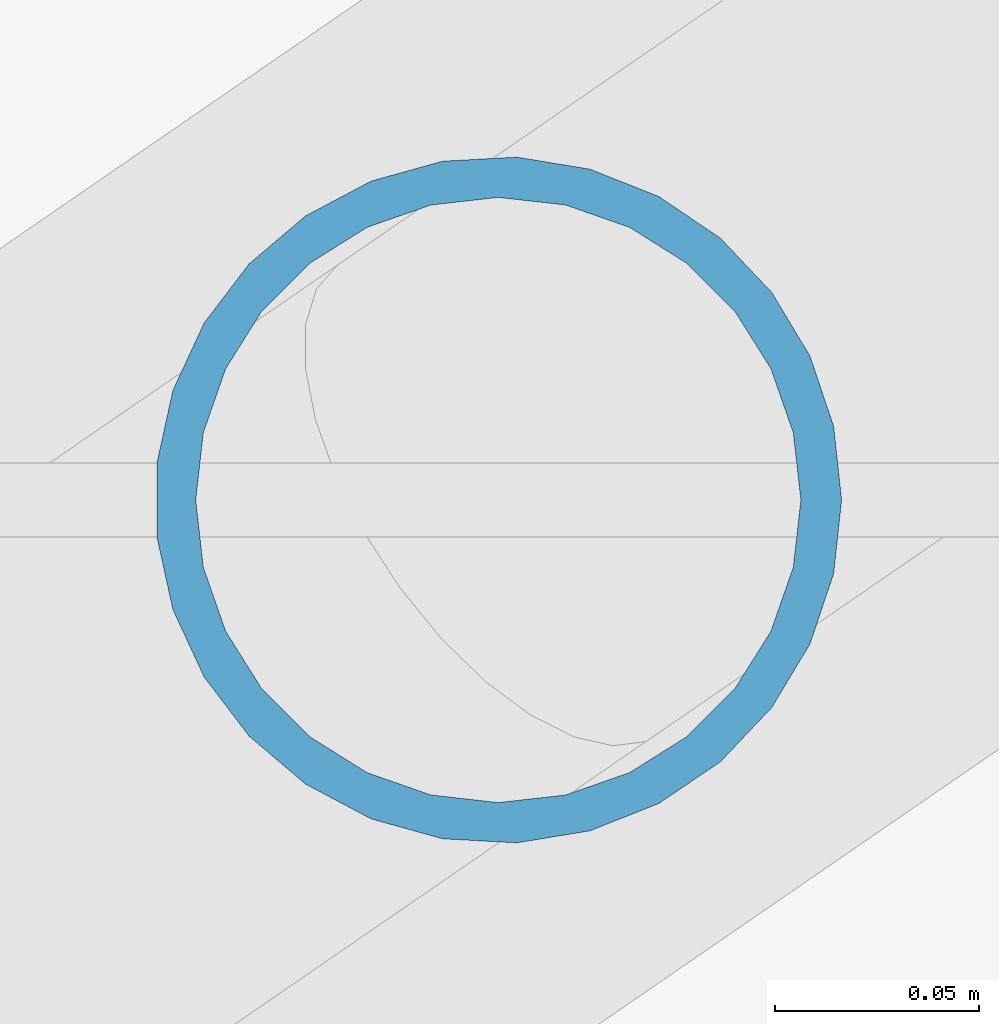
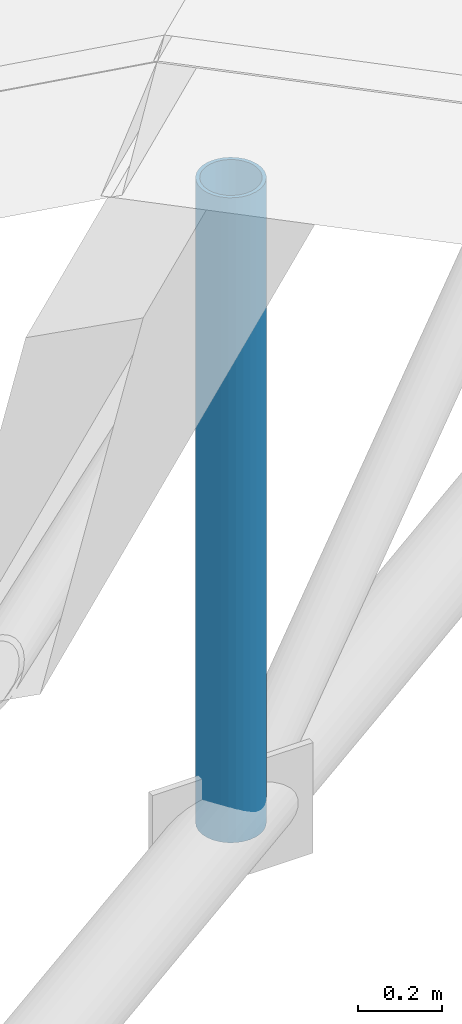
# One storey, part 18 of 66: 1 member.
"""IFC4 building model written with IfcOpenShell, lengths in metres."""

from ifc_helpers import new_model, si_unit, direction, frame, origin, origin_2d, place, context, subcontext, project, spatial, hollow_circle, extrude, material, material_profile, profile_set, type_object, element, save


model = new_model("IFC4")

# Units and contexts
model_context = context("Model", 3, precision=1e-05, world=origin(), true_north=direction((0.0, 1.0)))
body_context = subcontext(model_context, "Body", "Model", "MODEL_VIEW")
ifc_project = project(units=[si_unit("LENGTHUNIT", "METRE"), si_unit("AREAUNIT", "SQUARE_METRE"), si_unit("VOLUMEUNIT", "CUBIC_METRE"), si_unit("PLANEANGLEUNIT", "RADIAN"), si_unit("MASSUNIT", "GRAM", prefix="KILO")], contexts=[model_context])

# Site, building, storey
site_placement = place(None, origin())
site = spatial("IfcSite", under=ifc_project, at=site_placement, CompositionType="ELEMENT")
building_placement = place(site_placement, origin())
building = spatial("IfcBuilding", under=site, at=building_placement, Name="Zornivar Specialist Clinic", CompositionType="ELEMENT")
storey_placement = place(building_placement, frame((0.0, 0.0, 16.0)))
storey = spatial("IfcBuildingStorey", under=building, at=storey_placement, Name="L04", CompositionType="ELEMENT", Elevation=16.0)

# Member
ifc_material = material(Name="Steel S355J2", Category="steel")
ifc_material_profile = material_profile(ifc_material, hollow_circle(Radius=0.084228515625, WallThickness=0.010009765625, at=origin_2d()), Name="CHS 168.3x10")
ifc_profile_set = profile_set([ifc_material_profile], Name="Steel S355J2")
member_type = type_object("IfcMemberType", Name="MEM-STRUT-CHS168", PredefinedType="STRUT", material=ifc_profile_set)
member_placement = place(storey_placement, frame((77.30908203125, 46.39990234375, 0.360107421875), z_axis=(0.0, 0.0, 1.0), x_axis=(1.0, 0.0, 0.0)))
element("IfcMember", 1, at=member_placement, inside=storey, type_object=member_type, Name="mem:V1:L04:vert1:5", PredefinedType="STRUT", context=body_context, shape_type="SweptSolid", body=[
    extrude(hollow_circle(Radius=0.084228515625, WallThickness=0.010009765625, at=origin_2d()), origin(), (0.0, 0.0, 1.0), 1.866943359375),
])

save(model, "model.ifc")
